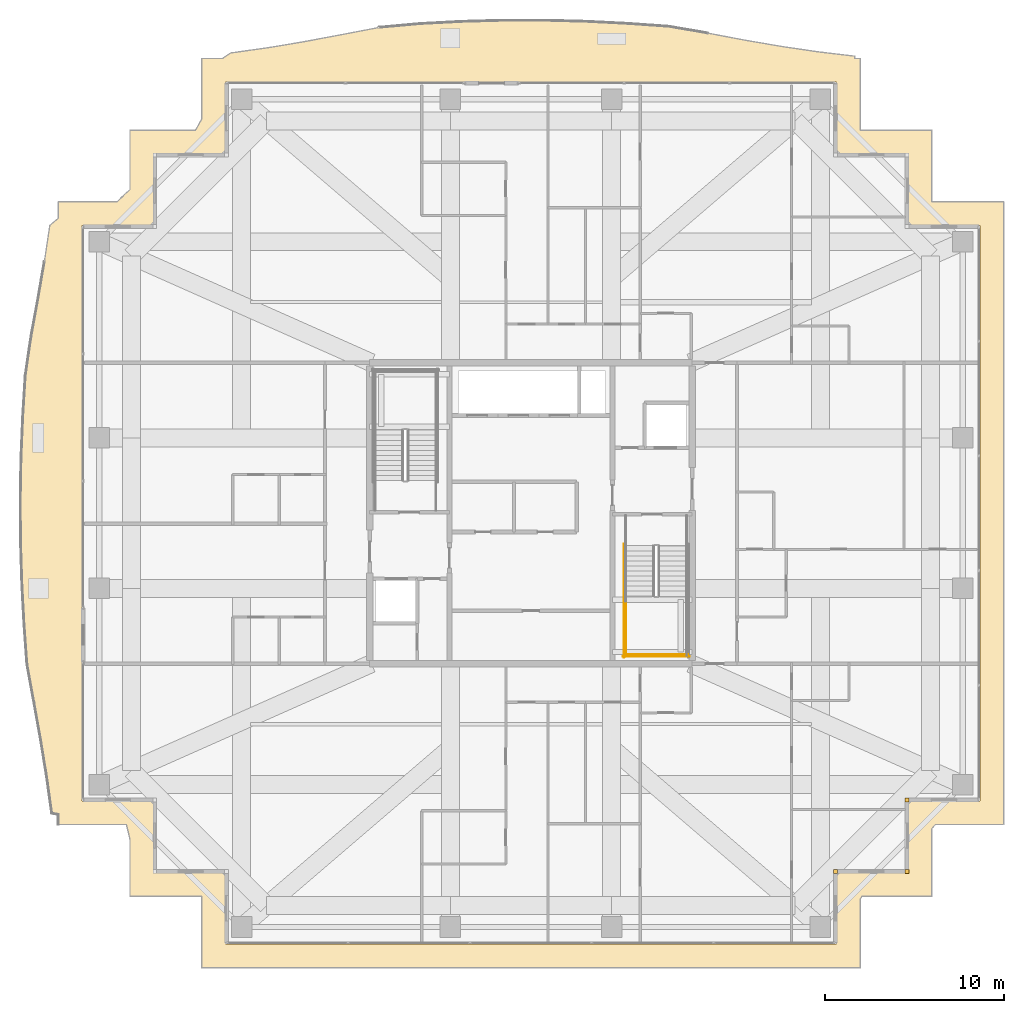
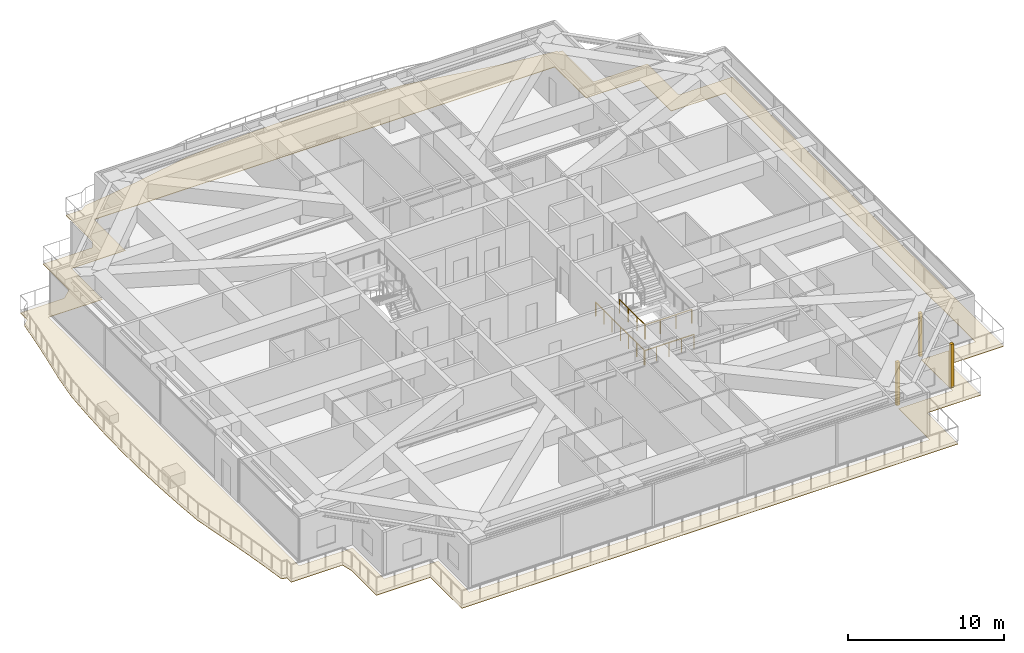
# One storey, part 37 of 39: 4 coverings, 4 railings.
"""IFC4 building model written with IfcOpenShell, lengths in metres."""

from ifc_helpers import new_model, si_unit, direction, frame, origin, origin_2d, place, context, subcontext, project, spatial, polyline, rectangle, circle, outline, extrude, source, transform, mapped, material, layer, layer_set, type_object, element, save


model = new_model("IFC4")

# Units and contexts
model_context = context("Model", 3, precision=1e-05, world=origin(), true_north=direction((0.0, 1.0)))
body_context = subcontext(model_context, "Body", "Model", "MODEL_VIEW")
ifc_project = project(units=[si_unit("LENGTHUNIT", "METRE"), si_unit("AREAUNIT", "SQUARE_METRE"), si_unit("VOLUMEUNIT", "CUBIC_METRE"), si_unit("PLANEANGLEUNIT", "RADIAN"), si_unit("MASSUNIT", "GRAM", prefix="KILO")], contexts=[model_context])

# Site, building, storey
site_placement = place(None, origin())
site = spatial("IfcSite", under=ifc_project, at=site_placement, CompositionType="ELEMENT")
building_placement = place(site_placement, origin())
building = spatial("IfcBuilding", under=site, at=building_placement, Name="Serunith Strait Residences", CompositionType="ELEMENT")
storey_placement = place(building_placement, frame((0.0, 0.0, 283.60009765625)))
storey = spatial("IfcBuildingStorey", under=building, at=storey_placement, Name="L71", CompositionType="ELEMENT", Elevation=283.60009765625)

# Covering
ifc_material_1 = material(Name="Golden Teak Exterior Timber Boarding", Category="wood")
ifc_layer_1 = layer(ifc_material_1, 0.034912109375, Name="Golden Teak Exterior Timber Boarding")
ifc_layer_set_1 = layer_set([ifc_layer_1], Name="Golden Teak Exterior Timber Boarding")
covering_type_1 = type_object("IfcCoveringType", Name="COV-TEAK-SOFFIT", PredefinedType="CEILING", material=ifc_layer_set_1)
covering_placement = place(storey_placement, frame((0.0, 0.0, -0.3251953125)))
element("IfcCovering", 1, at=covering_placement, inside=storey, type_object=covering_type_1, Name="L71 Golden-Teak Balcony Soffit Lining", PredefinedType="CEILING", context=body_context, shape_type="SweptSolid", body=[
    extrude(outline(polyline([(6.02001953125, 7.820068359375), (6.02001953125, 8.379150390625), (5.656494140625, 8.440673828125), (5.374755859375, 10.47119140625), (5.040771484375, 12.523681640625), (4.665283203125, 14.614501953125), (4.2724609375, 16.76171875), (4.10888671875, 19.023193359375), (3.989013671875, 21.317138671875), (3.91748046875, 23.633544921875), (3.901611328125, 25.9599609375), (3.942626953125, 28.282958984375), (4.03759765625, 30.5888671875), (4.177978515625, 32.866943359375), (4.49658203125, 35.05908203125), (4.884033203125, 37.16943359375), (5.23828125, 39.2333984375), (5.543212890625, 41.269287109375), (6.02001953125, 41.67236328125), (6.02001953125, 42.580078125), (9.28466796875, 42.580078125), (10.02001953125, 43.265625), (10.02001953125, 46.580078125), (13.678955078125, 46.580078125), (14.02001953125, 47.198974609375), (14.02001953125, 50.580078125), (15.19189453125, 50.580078125), (15.632080078125, 50.88720703125), (17.65625, 51.17041015625), (19.700927734375, 51.511962890625), (21.7841796875, 51.901611328125), (23.927001953125, 52.31396484375), (26.18701171875, 52.51806640625), (28.493896484375, 52.638916015625), (30.82421875, 52.703125), (33.1640625, 52.704833984375), (35.4970703125, 52.644287109375), (37.80859375, 52.528076171875), (40.087890625, 52.3671875), (42.2626953125, 51.99658203125), (44.3623046875, 51.599365234375), (46.417724609375, 51.245849609375), (48.448486328125, 50.948974609375), (50.469482421875, 50.709716796875), (50.468505859375, 50.580078125), (50.780029296875, 50.580078125), (50.780029296875, 46.580078125), (54.780029296875, 46.580078125), (54.780029296875, 42.580078125), (58.780029296875, 42.580078125), (58.780029296875, 7.820068359375), (54.97509765625, 7.820068359375), (54.780029296875, 7.597900390625), (54.780029296875, 3.820068359375), (50.881103515625, 3.820068359375), (50.780029296875, 3.665283203125), (50.780029296875, -0.179931640625), (14.02001953125, -0.179931640625), (14.02001953125, 3.820068359375), (10.02001953125, 3.820068359375), (10.02001953125, 6.98779296875), (9.817626953125, 7.820068359375), (6.02001953125, 7.820068359375)]), holes=[polyline([(49.455078125, 1.14501953125), (49.455078125, 5.14501953125), (53.455078125, 5.14501953125), (53.455078125, 9.14501953125), (57.455078125, 9.14501953125), (57.455078125, 41.2548828125), (53.455078125, 41.2548828125), (53.455078125, 45.2548828125), (49.455078125, 45.2548828125), (49.455078125, 49.2548828125), (15.344970703125, 49.2548828125), (15.344970703125, 45.2548828125), (11.344970703125, 45.2548828125), (11.344970703125, 41.2548828125), (7.344970703125, 41.2548828125), (7.344970703125, 9.14501953125), (11.344970703125, 9.14501953125), (11.344970703125, 5.14501953125), (15.344970703125, 5.14501953125), (15.344970703125, 1.14501953125), (49.455078125, 1.14501953125)])]), origin(), (0.0, 0.0, 1.0), 0.03515625),
])

# Railings
ifc_material_2 = material(Name="Brushed stainless steel 316L", Category="steel")
railing_type = type_object("IfcRailingType", Name="RLG-STAIR-GUARD", PredefinedType="BALUSTRADE", material=ifc_material_2)
railing_1_placement = place(storey_placement, frame((37.699951171875, 20.570068359375, 1.9248046875)))
element("IfcRailing", 2, at=railing_1_placement, inside=storey, type_object=railing_type, Name="L71 ST-2 stair guard 3", PredefinedType="BALUSTRADE", context=body_context, shape_type="SweptSolid", body=[
    extrude(circle(Radius=0.02392578125, at=origin_2d()), frame((0.0, -0.001953125, 1.076171875), z_axis=(0.0, -1.0, 0.0), x_axis=(1.0, 0.0, 0.0)), (0.0, 0.0, 1.0), 3.316162109375),
    extrude(circle(Radius=0.02099609375, at=origin_2d()), origin(), (0.0, 0.0, 1.0), 1.050048828125),
    extrude(circle(Radius=0.02099609375, at=origin_2d()), frame((0.0, -1.106689453125, 0.0)), (0.0, 0.0, 1.0), 1.050048828125),
    extrude(circle(Radius=0.02099609375, at=origin_2d()), frame((0.0, -2.21337890625, 0.0)), (0.0, 0.0, 1.0), 1.050048828125),
    extrude(circle(Radius=0.02099609375, at=origin_2d()), frame((0.0, -3.320068359375, 0.0)), (0.0, 0.0, 1.0), 1.050048828125),
])
railing_2_placement = place(storey_placement, frame((37.64990234375, 17.300048828125, 1.9248046875)))
element("IfcRailing", 3, at=railing_2_placement, inside=storey, type_object=railing_type, Name="L71 ST-2 stair guard 5", PredefinedType="BALUSTRADE", context=body_context, shape_type="SweptSolid", body=[
    extrude(circle(Radius=0.02392578125, at=origin_2d()), frame((0.001953125, 0.0, 1.076171875), z_axis=(1.0, 0.0, 0.0), x_axis=(0.0, 1.0, 0.0)), (0.0, 0.0, 1.0), 3.49609375),
    extrude(circle(Radius=0.02099609375, at=origin_2d()), origin(), (0.0, 0.0, 1.0), 1.050048828125),
    extrude(circle(Radius=0.02099609375, at=origin_2d()), frame((1.166748046875, 0.0, 0.0)), (0.0, 0.0, 1.0), 1.050048828125),
    extrude(circle(Radius=0.02099609375, at=origin_2d()), frame((2.333251953125, 0.0, 0.0)), (0.0, 0.0, 1.0), 1.050048828125),
    extrude(circle(Radius=0.02099609375, at=origin_2d()), frame((3.5, 0.0, 0.0)), (0.0, 0.0, 1.0), 1.050048828125),
])
railing_3_placement = place(storey_placement, frame((37.60009765625, 23.469970703125, 0.0)))
element("IfcRailing", 4, at=railing_3_placement, inside=storey, type_object=railing_type, Name="L71 ST-2 stair guard 10", PredefinedType="BALUSTRADE", context=body_context, shape_type="SweptSolid", body=[
    extrude(circle(Radius=0.02392578125, at=origin_2d()), frame((0.0, -0.001953125, 1.076171875), z_axis=(0.0, -1.0, 0.0), x_axis=(1.0, 0.0, 0.0)), (0.0, 0.0, 1.0), 6.316162109375),
    extrude(circle(Radius=0.02099609375, at=origin_2d()), origin(), (0.0, 0.0, 1.0), 1.050048828125),
    extrude(circle(Radius=0.02099609375, at=origin_2d()), frame((0.0, -1.05322265625, 0.0)), (0.0, 0.0, 1.0), 1.050048828125),
    extrude(circle(Radius=0.02099609375, at=origin_2d()), frame((0.0, -2.106689453125, 0.0)), (0.0, 0.0, 1.0), 1.050048828125),
    extrude(circle(Radius=0.02099609375, at=origin_2d()), frame((0.0, -3.16015625, 0.0)), (0.0, 0.0, 1.0), 1.050048828125),
    extrude(circle(Radius=0.02099609375, at=origin_2d()), frame((0.0, -4.21337890625, 0.0)), (0.0, 0.0, 1.0), 1.050048828125),
    extrude(circle(Radius=0.02099609375, at=origin_2d()), frame((0.0, -5.2666015625, 0.0)), (0.0, 0.0, 1.0), 1.050048828125),
    extrude(circle(Radius=0.02099609375, at=origin_2d()), frame((0.0, -6.320068359375, 0.0)), (0.0, 0.0, 1.0), 1.050048828125),
])
railing_4_placement = place(storey_placement, frame((37.550048828125, 17.199951171875, 0.0)))
element("IfcRailing", 5, at=railing_4_placement, inside=storey, type_object=railing_type, Name="L71 ST-2 stair guard 12", PredefinedType="BALUSTRADE", context=body_context, shape_type="SweptSolid", body=[
    extrude(circle(Radius=0.02392578125, at=origin_2d()), frame((0.001953125, 0.0, 1.076171875), z_axis=(1.0, 0.0, 0.0), x_axis=(0.0, 1.0, 0.0)), (0.0, 0.0, 1.0), 3.696044921875),
    extrude(circle(Radius=0.02099609375, at=origin_2d()), origin(), (0.0, 0.0, 1.0), 1.050048828125),
    extrude(circle(Radius=0.02099609375, at=origin_2d()), frame((0.925048828125, 0.0, 0.0)), (0.0, 0.0, 1.0), 1.050048828125),
    extrude(circle(Radius=0.02099609375, at=origin_2d()), frame((1.85009765625, 0.0, 0.0)), (0.0, 0.0, 1.0), 1.050048828125),
    extrude(circle(Radius=0.02099609375, at=origin_2d()), frame((2.77490234375, 0.0, 0.0)), (0.0, 0.0, 1.0), 1.050048828125),
    extrude(circle(Radius=0.02099609375, at=origin_2d()), frame((3.699951171875, 0.0, 0.0)), (0.0, 0.0, 1.0), 1.050048828125),
])

# Coverings
ifc_material_3 = material(Name="Pale-Champagne Anodised Aluminium", Category="aluminium")
ifc_layer_2 = layer(ifc_material_3, 0.219970703125, Name="Pale-Champagne Anodised Aluminium")
ifc_layer_set_2 = layer_set([ifc_layer_2], Name="Pale-Champagne Anodised Aluminium")
covering_type_2 = type_object("IfcCoveringType", Name="COV-CORN-TRIM", PredefinedType="CLADDING", material=ifc_layer_set_2)
shared_shape = source(origin(), body_context, "Body", "SweptSolid", [
    extrude(rectangle(XDim=0.221923828125, YDim=0.221923828125, at=origin_2d()), origin(), (0.0, 0.0, 1.0), 3.39501953125),
])
for number, where, z_axis, x_axis, name in (
    (6, (49.39990234375, 5.199951171875, 0.0), (0.0, 0.0, 1.0), (1.0, 0.0, 0.0), "L71 Girih Serrated Corner Trim Post 02"),
    (7, (53.39990234375, 5.199951171875, 0.0), (0.0, 0.0, 1.0), (1.0, 0.0, 0.0), "L71 Girih Serrated Corner Trim Post 03"),
    (8, (53.39990234375, 9.199951171875, 0.0), (0.0, 0.0, 1.0), (1.0, 0.0, 0.0), "L71 Girih Serrated Corner Trim Post 04"),
):
    element("IfcCovering", number, at=place(storey_placement, frame(where, z_axis=z_axis, x_axis=x_axis)), inside=storey, type_object=covering_type_2, Name=name, PredefinedType="CLADDING", context=body_context, shape_type="MappedRepresentation", body=[
        mapped(shared_shape, transform((0.0, 0.0, 0.0), scale=1.0)),
    ])

save(model, "model.ifc")
